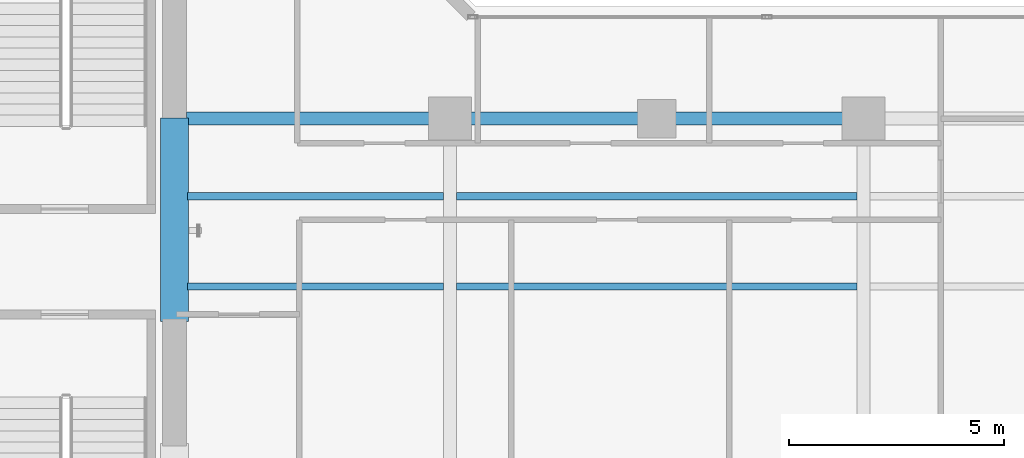
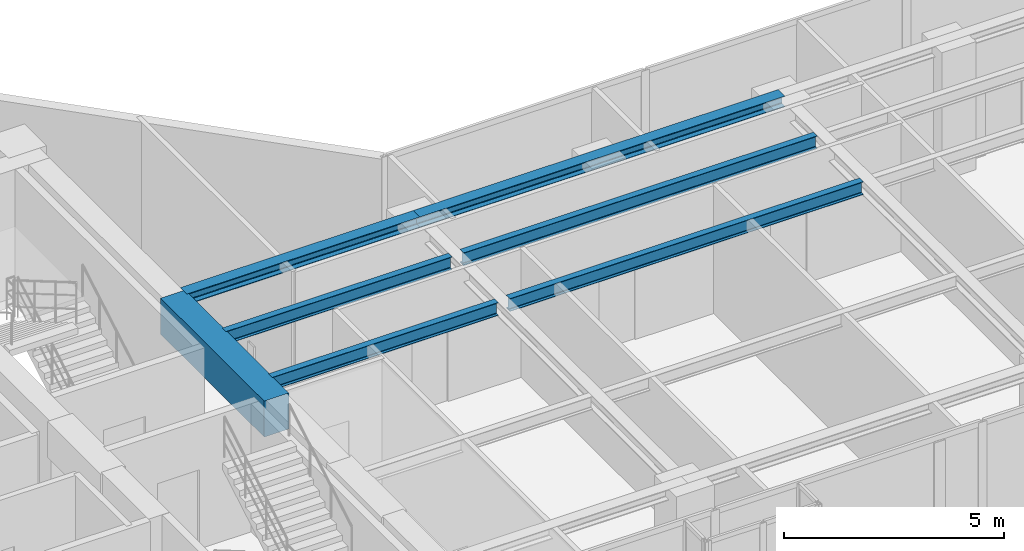
# One storey, part 6 of 23: 7 beams.
"""IFC4 building model written with IfcOpenShell, lengths in metres."""

from ifc_helpers import new_model, si_unit, direction, frame, origin, origin_2d, place, context, subcontext, project, spatial, rectangle, i_section, extrude, material, material_profile, profile_set, type_object, element, save


model = new_model("IFC4")

# Units and contexts
model_context = context("Model", 3, precision=1e-05, world=origin(), true_north=direction((0.0, 1.0)))
body_context = subcontext(model_context, "Body", "Model", "MODEL_VIEW")
ifc_project = project(units=[si_unit("LENGTHUNIT", "METRE"), si_unit("AREAUNIT", "SQUARE_METRE"), si_unit("VOLUMEUNIT", "CUBIC_METRE"), si_unit("PLANEANGLEUNIT", "RADIAN"), si_unit("MASSUNIT", "GRAM", prefix="KILO")], contexts=[model_context])

# Site, building, storey
site_placement = place(None, origin())
site = spatial("IfcSite", under=ifc_project, at=site_placement, CompositionType="ELEMENT")
building_placement = place(site_placement, origin())
building = spatial("IfcBuilding", under=site, at=building_placement, Name="Kolvaren Waterfront Exchange", CompositionType="ELEMENT")
storey_placement = place(building_placement, frame((0.0, 0.0, 215.89990234375)))
storey = spatial("IfcBuildingStorey", under=building, at=storey_placement, Name="L55", CompositionType="ELEMENT", Elevation=215.89990234375)

# Beams
ifc_material_1 = material(Name="Steel S355", Category="steel")
ifc_material_profile_1 = material_profile(ifc_material_1, i_section(OverallWidth=0.300048828125, OverallDepth=0.300048828125, WebThickness=0.010986328125, FlangeThickness=0.01904296875, FilletRadius=0.027099609375, at=origin_2d()), Name="HEB300")
ifc_profile_set_1 = profile_set([ifc_material_profile_1], Name="Steel S355")
beam_type_1 = type_object("IfcBeamType", Name="STR-BM-HEB300", PredefinedType="SPANDREL", material=ifc_profile_set_1)
beam_1_placement = place(storey_placement, frame((21.074951171875, 17.39990234375, 3.41015625), z_axis=(1.0, 0.0, 0.0), x_axis=(0.0, 1.0, 0.0)))
element("IfcBeam", 1, at=beam_1_placement, inside=storey, type_object=beam_type_1, Name="L55 east-arm spandrel N1", PredefinedType="SPANDREL", context=body_context, shape_type="SweptSolid", body=[
    extrude(i_section(OverallWidth=0.300048828125, OverallDepth=0.300048828125, WebThickness=0.010986328125, FlangeThickness=0.01904296875, FilletRadius=0.027099609375, at=origin_2d()), origin(), (0.0, 0.0, 1.0), 6.125),
])
beam_2_placement = place(storey_placement, frame((27.199951171875, 17.39990234375, 3.41015625), z_axis=(1.0, 0.0, 0.0), x_axis=(0.0, 1.0, 0.0)))
element("IfcBeam", 2, at=beam_2_placement, inside=storey, type_object=beam_type_1, Name="L55 east-arm spandrel N2", PredefinedType="SPANDREL", context=body_context, shape_type="SweptSolid", body=[
    extrude(i_section(OverallWidth=0.300048828125, OverallDepth=0.300048828125, WebThickness=0.010986328125, FlangeThickness=0.01904296875, FilletRadius=0.027099609375, at=origin_2d()), origin(), (0.0, 0.0, 1.0), 9.60009765625),
])
ifc_material_profile_2 = material_profile(ifc_material_1, i_section(OverallWidth=0.169921875, OverallDepth=0.360107421875, WebThickness=0.008056640625, FlangeThickness=0.0126953125, FilletRadius=0.01806640625, at=origin_2d()), Name="IPE360")
ifc_profile_set_2 = profile_set([ifc_material_profile_2], Name="Steel S355")
beam_type_2 = type_object("IfcBeamType", Name="STR-BM-IPE360", PredefinedType="JOIST", material=ifc_profile_set_2)
for number, where, z_axis, x_axis, name in (
    (3, (21.10009765625, 13.5, 3.380126953125), (1.0, 0.0, 0.0), (0.0, 1.0, 0.0), "L55 east-arm composite joist 1A"),
    (4, (21.10009765625, 15.60009765625, 3.380126953125), (1.0, 0.0, 0.0), (0.0, 1.0, 0.0), "L55 east-arm composite joist 1C"),
):
    element("IfcBeam", number, at=place(storey_placement, frame(where, z_axis=z_axis, x_axis=x_axis)), inside=storey, type_object=beam_type_2, Name=name, PredefinedType="JOIST", context=body_context, shape_type="SweptSolid", body=[
        extrude(i_section(OverallWidth=0.169921875, OverallDepth=0.360107421875, WebThickness=0.008056640625, FlangeThickness=0.0126953125, FilletRadius=0.01806640625, at=origin_2d()), origin(), (0.0, 0.0, 1.0), 5.947998046875),
    ])
for number, where, z_axis, x_axis, name in (
    (5, (27.35205078125, 13.5, 3.380126953125), (1.0, 0.0, 0.0), (0.0, 1.0, 0.0), "L55 east-arm composite joist 2A"),
    (6, (27.35205078125, 15.60009765625, 3.380126953125), (1.0, 0.0, 0.0), (0.0, 1.0, 0.0), "L55 east-arm composite joist 2C"),
):
    element("IfcBeam", number, at=place(storey_placement, frame(where, z_axis=z_axis, x_axis=x_axis)), inside=storey, type_object=beam_type_2, Name=name, PredefinedType="JOIST", context=body_context, shape_type="SweptSolid", body=[
        extrude(i_section(OverallWidth=0.169921875, OverallDepth=0.360107421875, WebThickness=0.008056640625, FlangeThickness=0.0126953125, FilletRadius=0.01806640625, at=origin_2d()), origin(), (0.0, 0.0, 1.0), 9.2958984375),
    ])
ifc_material_2 = material(Name="Concrete C60/75", Category="concrete")
ifc_material_profile_3 = material_profile(ifc_material_2, rectangle(XDim=0.64990234375, YDim=1.0, at=origin_2d()), Name="RC-CB-1000x650")
ifc_profile_set_3 = profile_set([ifc_material_profile_3], Name="Concrete C60/75")
beam_type_3 = type_object("IfcBeamType", Name="STR-CB-1000", PredefinedType="SPANDREL", material=ifc_profile_set_3)
beam_3_placement = place(storey_placement, frame((20.800048828125, 12.68994140625, 3.06005859375), z_axis=(0.0, 1.0, 0.0), x_axis=(-1.0, 0.0, 0.0)))
element("IfcBeam", 7, at=beam_3_placement, inside=storey, type_object=beam_type_3, Name="L55 core coupling beam 2", PredefinedType="SPANDREL", context=body_context, shape_type="SweptSolid", body=[
    extrude(rectangle(XDim=0.64990234375, YDim=1.0, at=origin_2d()), origin(), (0.0, 0.0, 1.0), 4.719970703125),
])

save(model, "model.ifc")
